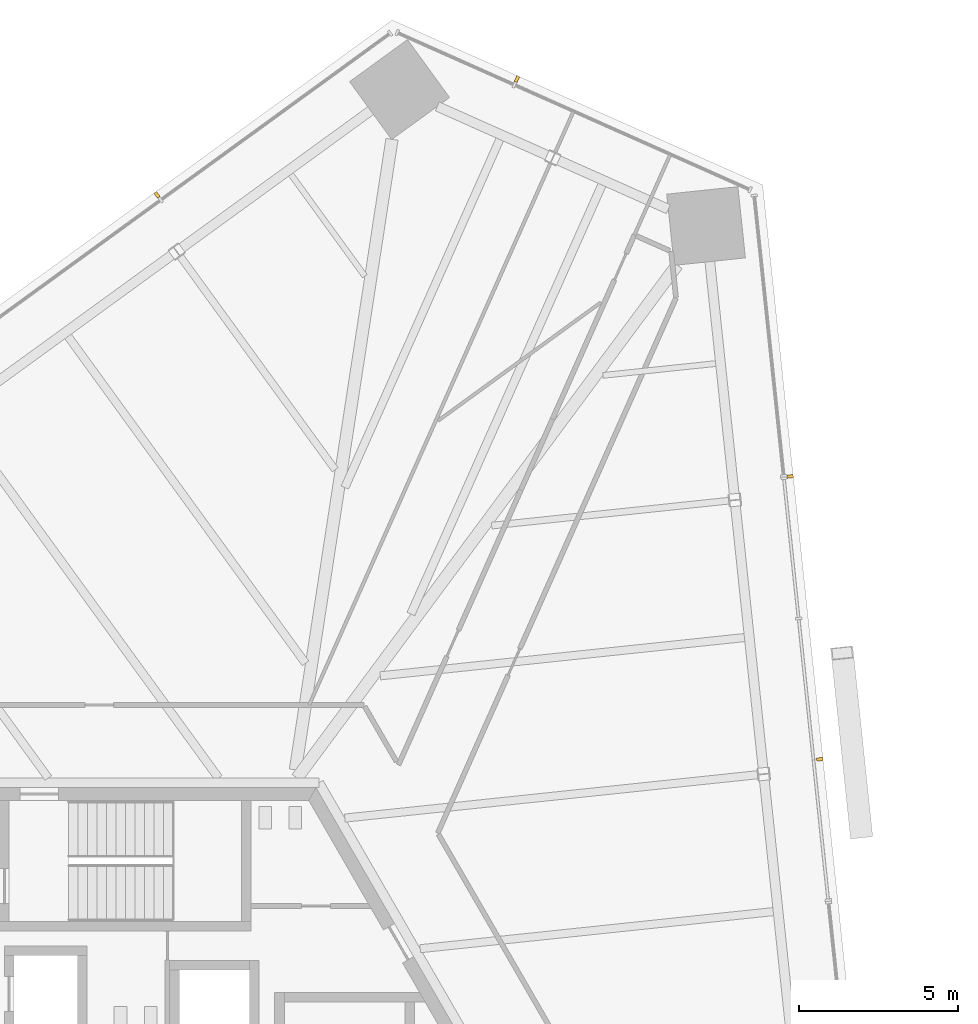
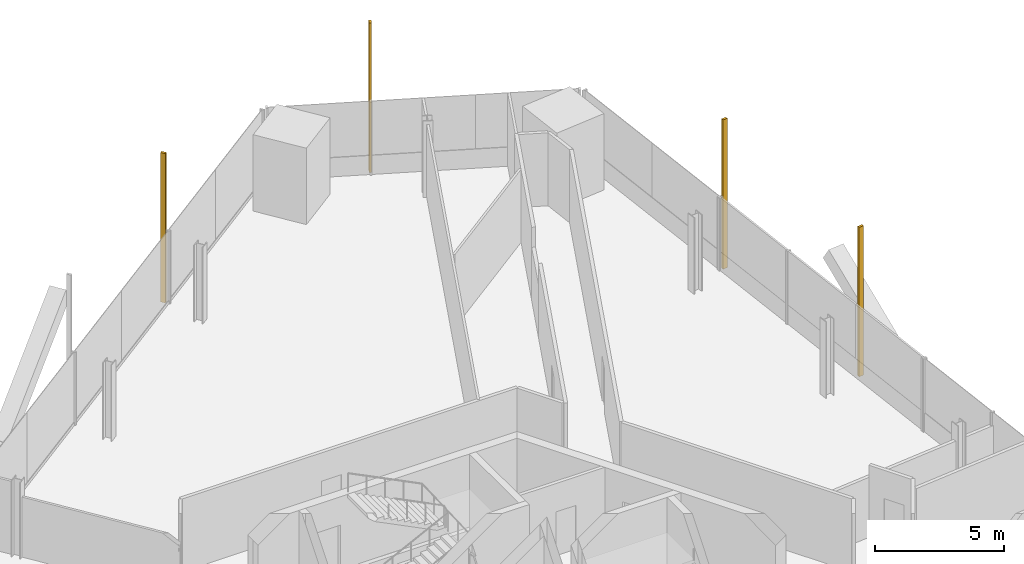
# One storey, part 18 of 21: 4 shading devices.
"""IFC4 building model written with IfcOpenShell, lengths in metres."""

from ifc_helpers import new_model, si_unit, direction, frame, origin, origin_2d, place, context, subcontext, project, spatial, rectangle, extrude, source, transform, mapped, material, element, save


model = new_model("IFC4")

# Units and contexts
model_context = context("Model", 3, precision=1e-05, world=origin(), true_north=direction((0.0, 1.0)))
body_context = subcontext(model_context, "Body", "Model", "MODEL_VIEW")
ifc_project = project(units=[si_unit("LENGTHUNIT", "METRE"), si_unit("AREAUNIT", "SQUARE_METRE"), si_unit("VOLUMEUNIT", "CUBIC_METRE"), si_unit("PLANEANGLEUNIT", "RADIAN"), si_unit("MASSUNIT", "GRAM", prefix="KILO")], contexts=[model_context])

# Site, building, storey
site_placement = place(None, origin())
site = spatial("IfcSite", under=ifc_project, at=site_placement, CompositionType="ELEMENT")
building_placement = place(site_placement, origin())
building = spatial("IfcBuilding", under=site, at=building_placement, Name="Triune Harvest Tower", CompositionType="ELEMENT")
storey_placement = place(building_placement, frame((0.0, 0.0, 80.10009765625)))
storey = spatial("IfcBuildingStorey", under=building, at=storey_placement, Name="L19", CompositionType="ELEMENT", Elevation=80.10009765625)

# Shading devices
ifc_material = material(Name="Aluminium bronze anodised", Category="aluminium")
shared_shape = source(origin(), body_context, "Body", "SweptSolid", [
    extrude(rectangle(XDim=0.10009765625, YDim=0.199951171875, at=origin_2d()), origin(), (0.0, 0.0, 1.0), 7.0400390625),
])
for number, where, z_axis, x_axis, name in (
    (1, (21.837646484375, 11.28564453125, 0.0), (0.0, 0.0, 1.0), (-0.104527536558, 0.994521992769, 0.0), "FN-1 fin B2-F1.9 L19"),
    (2, (20.903076171875, 20.177734375, 0.0), (0.0, 0.0, 1.0), (-0.104527536558, 0.994521992769, 0.0), "FN-1 fin B2-F1.11 L19"),
    (3, (12.31689453125, 32.67138671875, 0.0), (0.0, 0.0, 1.0), (-0.913546644034, 0.406733978386, 0.0), "FN-1 fin B2-F2.3 L19"),
    (4, (1.0, 29.02978515625, 0.0), (0.0, 0.0, 1.0), (-0.809017013446, -0.587785226043, 0.0), "FN-1 fin B2-F3.3 L19"),
):
    element("IfcShadingDevice", number, at=place(storey_placement, frame(where, z_axis=z_axis, x_axis=x_axis)), inside=storey, material=ifc_material, Name=name, ObjectType="FIN", PredefinedType="USERDEFINED", context=body_context, shape_type="MappedRepresentation", body=[
        mapped(shared_shape, transform((0.0, 0.0, 0.0), scale=1.0)),
    ])

save(model, "model.ifc")
